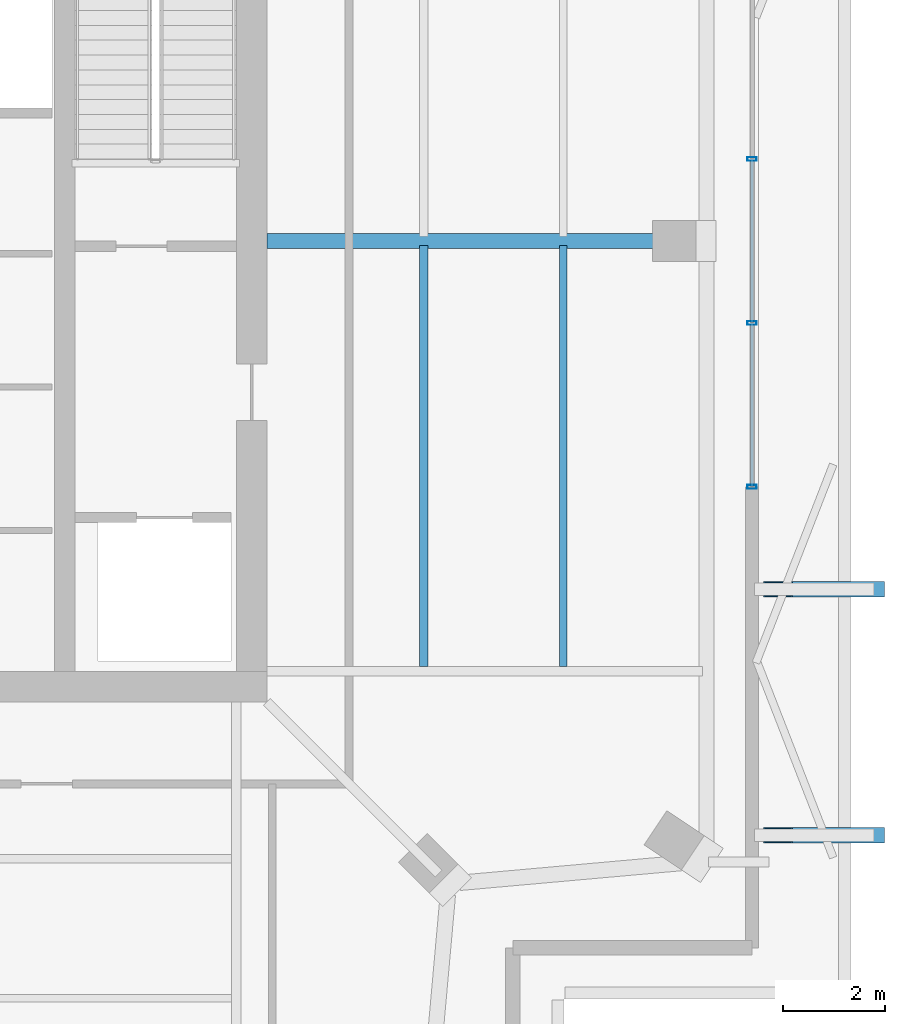
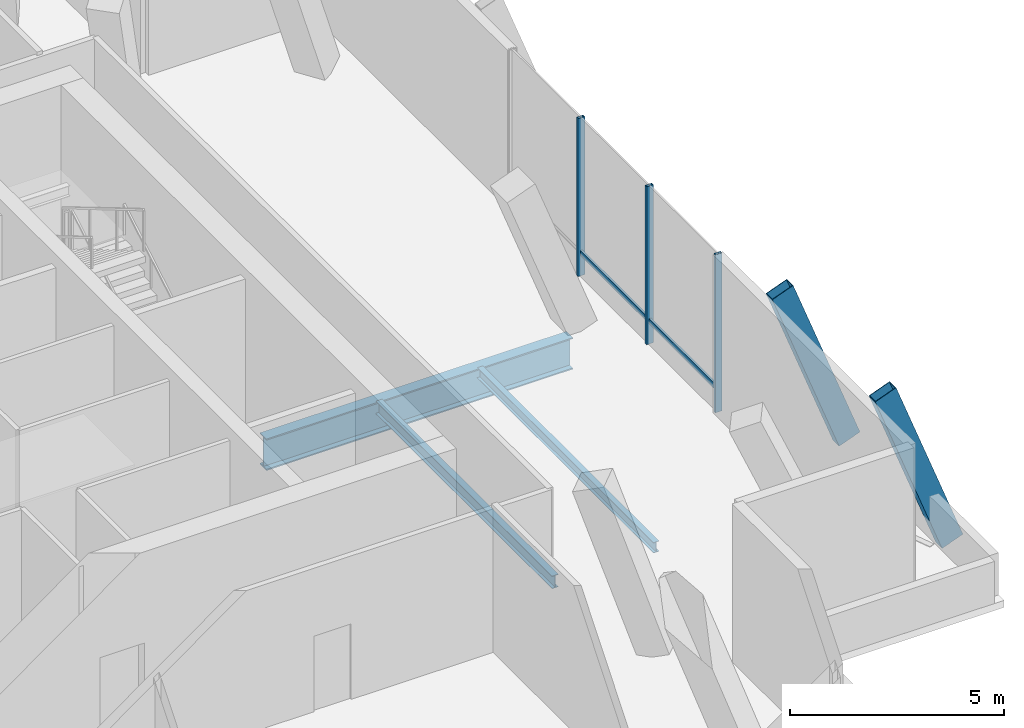
# One storey, part 10 of 18: 7 members, 3 beams, 1 element without a shape of its own.
"""IFC4 building model written with IfcOpenShell, lengths in metres."""

from ifc_helpers import new_model, si_unit, direction, frame, origin, origin_2d, place, context, subcontext, project, spatial, hollow_rectangle, i_section, extrude, material, layer, layer_set, material_profile, profile_set, type_object, element, aggregate, save


model = new_model("IFC4")

# Units and contexts
model_context = context("Model", 3, precision=1e-05, world=origin(), true_north=direction((0.0, 1.0)))
body_context = subcontext(model_context, "Body", "Model", "MODEL_VIEW")
ifc_project = project(units=[si_unit("LENGTHUNIT", "METRE"), si_unit("AREAUNIT", "SQUARE_METRE"), si_unit("VOLUMEUNIT", "CUBIC_METRE"), si_unit("PLANEANGLEUNIT", "RADIAN"), si_unit("MASSUNIT", "GRAM", prefix="KILO")], contexts=[model_context])

# Site, building, storey
site_placement = place(None, origin())
site = spatial("IfcSite", under=ifc_project, at=site_placement, CompositionType="ELEMENT")
building_placement = place(site_placement, origin())
building = spatial("IfcBuilding", under=site, at=building_placement, Name="Belovzor Exchange Tower", CompositionType="ELEMENT")
storey_placement = place(building_placement, frame((0.0, 0.0, 369.0)))
storey = spatial("IfcBuildingStorey", under=building, at=storey_placement, Name="L92", CompositionType="ELEMENT", Elevation=369.0)

# Beams
ifc_material_1 = material(Name="Steel S460", Category="steel")
ifc_material_profile_1 = material_profile(ifc_material_1, i_section(OverallWidth=0.300048828125, OverallDepth=0.89990234375, WebThickness=0.0185546875, FlangeThickness=0.034912109375, at=origin_2d()))
ifc_profile_set_1 = profile_set([ifc_material_profile_1], Name="Steel S460")
beam_type_1 = type_object("IfcBeamType", Name="Podium Radial Clear-Span Girder HEB 900", PredefinedType="BEAM", material=ifc_profile_set_1)
beam_1_placement = place(storey_placement, frame((37.800048828125, 28.800048828125, -0.75), z_axis=(1.0, 0.0, 0.0), x_axis=(0.0, 1.0, 0.0)))
element("IfcBeam", 1, at=beam_1_placement, inside=storey, type_object=beam_type_1, Name="PG-2 Podium Radial Clear-Span Girder HEB 900", PredefinedType="BEAM", context=body_context, shape_type="SweptSolid", body=[
    extrude(i_section(OverallWidth=0.300048828125, OverallDepth=0.89990234375, WebThickness=0.0185546875, FlangeThickness=0.034912109375, at=origin_2d()), origin(), (0.0, 0.0, 1.0), 8.248046875),
])
ifc_material_2 = material(Name="Steel S355", Category="steel")
ifc_material_profile_2 = material_profile(ifc_material_2, i_section(OverallWidth=0.169921875, OverallDepth=0.360107421875, WebThickness=0.008056640625, FlangeThickness=0.0126953125, at=origin_2d()))
ifc_profile_set_2 = profile_set([ifc_material_profile_2], Name="Steel S355")
beam_type_2 = type_object("IfcBeamType", Name="Secondary Infill Floor Joist IPE 360", PredefinedType="BEAM", material=ifc_profile_set_2)
beam_2_placement = place(storey_placement, frame((40.862060546875, 20.489990234375, -0.47998046875), z_axis=(0.0, 1.0, 0.0), x_axis=(-1.0, 0.0, 0.0)))
element("IfcBeam", 2, at=beam_2_placement, inside=storey, type_object=beam_type_2, Name="FJ-360 Secondary Infill Floor Joist IPE 360", PredefinedType="BEAM", context=body_context, shape_type="SweptSolid", body=[
    extrude(i_section(OverallWidth=0.169921875, OverallDepth=0.360107421875, WebThickness=0.008056640625, FlangeThickness=0.0126953125, at=origin_2d()), origin(), (0.0, 0.0, 1.0), 8.219970703125),
])
ifc_material_3 = material(Name="Steel S355", Category="steel")
ifc_material_profile_3 = material_profile(ifc_material_3, i_section(OverallWidth=0.14990234375, OverallDepth=0.300048828125, WebThickness=0.007080078125, FlangeThickness=0.0107421875, at=origin_2d()))
ifc_profile_set_3 = profile_set([ifc_material_profile_3], Name="Steel S355")
beam_type_3 = type_object("IfcBeamType", Name="Secondary Trim Floor Joist IPE 300", PredefinedType="BEAM", material=ifc_profile_set_3)
beam_3_placement = place(storey_placement, frame((43.5830078125, 20.489990234375, -0.449951171875), z_axis=(0.0, 1.0, 0.0), x_axis=(-1.0, 0.0, 0.0)))
element("IfcBeam", 3, at=beam_3_placement, inside=storey, type_object=beam_type_3, Name="FJ-300 Secondary Trim Floor Joist IPE 300", PredefinedType="BEAM", context=body_context, shape_type="SweptSolid", body=[
    extrude(i_section(OverallWidth=0.14990234375, OverallDepth=0.300048828125, WebThickness=0.007080078125, FlangeThickness=0.0107421875, at=origin_2d()), origin(), (0.0, 0.0, 1.0), 8.219970703125),
])

# Curtain wall, members
ifc_material_4 = material(Name="Anodised Aluminium Framing", Category="aluminium")
ifc_layer = layer(ifc_material_4, 0.169921875)
ifc_layer_set = layer_set([ifc_layer], Name="Anodised Aluminium Framing")
curtain_wall_type = type_object("IfcCurtainWallType", Name="Stepped Crown Faceted Lantern Curtain Wall", PredefinedType="NOTDEFINED", material=ifc_layer_set)
curtain_wall_placement = place(storey_placement, origin())
curtain_wall = element("IfcCurtainWall", 4, at=curtain_wall_placement, inside=storey, type_object=curtain_wall_type, Name="CW6 Stepped Crown Faceted Lantern Curtain Wall L92", PredefinedType="NOTDEFINED")
ifc_material_5 = material(Name="Steel S355", Category="steel")
ifc_material_profile_4 = material_profile(ifc_material_5, hollow_rectangle(XDim=0.074951171875, YDim=0.179931640625, WallThickness=0.0048828125, at=origin_2d()))
ifc_profile_set_4 = profile_set([ifc_material_profile_4], Name="Steel S355")
member_type_1 = type_object("IfcMemberType", Name="Thermally Broken Curtain Wall Mullion 180x75", PredefinedType="MULLION", material=ifc_profile_set_4)
member_1_placement = place(storey_placement, frame((47.27001953125, 30.39990234375, 0.0), z_axis=(0.0, 0.0, 1.0), x_axis=(0.0, -1.0, 0.0)))
member_1 = element("IfcMember", 5, at=member_1_placement, type_object=member_type_1, Name="CW-M180 Curtain Wall Mullion 2", PredefinedType="MULLION", context=body_context, shape_type="SweptSolid", body=[
    extrude(hollow_rectangle(XDim=0.074951171875, YDim=0.179931640625, WallThickness=0.0048828125, at=origin_2d()), origin(), (0.0, 0.0, 1.0), 4.5),
])
member_2_placement = place(storey_placement, frame((47.27001953125, 27.199951171875, 0.0), z_axis=(0.0, 0.0, 1.0), x_axis=(0.0, -1.0, 0.0)))
member_2 = element("IfcMember", 6, at=member_2_placement, type_object=member_type_1, Name="CW-M180 Curtain Wall Mullion 3", PredefinedType="MULLION", context=body_context, shape_type="SweptSolid", body=[
    extrude(hollow_rectangle(XDim=0.074951171875, YDim=0.179931640625, WallThickness=0.0048828125, at=origin_2d()), origin(), (0.0, 0.0, 1.0), 4.5),
])
member_3_placement = place(storey_placement, frame((47.27001953125, 24.0, 0.0), z_axis=(0.0, 0.0, 1.0), x_axis=(0.0, -1.0, 0.0)))
member_3 = element("IfcMember", 7, at=member_3_placement, type_object=member_type_1, Name="CW-M180 Curtain Wall Mullion 4", PredefinedType="MULLION", context=body_context, shape_type="SweptSolid", body=[
    extrude(hollow_rectangle(XDim=0.074951171875, YDim=0.179931640625, WallThickness=0.0048828125, at=origin_2d()), origin(), (0.0, 0.0, 1.0), 4.5),
])
ifc_material_6 = material(Name="Steel S355", Category="steel")
ifc_material_profile_5 = material_profile(ifc_material_6, hollow_rectangle(XDim=0.06005859375, YDim=0.14990234375, WallThickness=0.00390625, at=origin_2d()))
ifc_profile_set_5 = profile_set([ifc_material_profile_5], Name="Steel S355")
member_type_2 = type_object("IfcMemberType", Name="Thermally Broken Curtain Wall Transom 150x60", PredefinedType="USERDEFINED", material=ifc_profile_set_5)
member_4_placement = place(storey_placement, frame((47.27001953125, 30.39208984375, 0.64990234375), z_axis=(0.0, -1.0, 0.0), x_axis=(1.0, 0.0, 0.0)))
member_4 = element("IfcMember", 8, at=member_4_placement, type_object=member_type_2, Name="CW-T150 Curtain Wall Transom 2", ObjectType="TRANSOM", PredefinedType="USERDEFINED", context=body_context, shape_type="SweptSolid", body=[
    extrude(hollow_rectangle(XDim=0.06005859375, YDim=0.14990234375, WallThickness=0.00390625, at=origin_2d()), origin(), (0.0, 0.0, 1.0), 3.18408203125),
])
member_5_placement = place(storey_placement, frame((47.27001953125, 27.19189453125, 0.64990234375), z_axis=(0.0, -1.0, 0.0), x_axis=(1.0, 0.0, 0.0)))
member_5 = element("IfcMember", 9, at=member_5_placement, type_object=member_type_2, Name="CW-T150 Curtain Wall Transom 3", ObjectType="TRANSOM", PredefinedType="USERDEFINED", context=body_context, shape_type="SweptSolid", body=[
    extrude(hollow_rectangle(XDim=0.06005859375, YDim=0.14990234375, WallThickness=0.00390625, at=origin_2d()), origin(), (0.0, 0.0, 1.0), 3.183837890625),
])
aggregate(curtain_wall, [member_1, member_2, member_3, member_4, member_5])

# Members
ifc_material_7 = material(Name="Extruded Architectural Terracotta on Steel S355 Carrier", Category="masonry")
ifc_material_profile_6 = material_profile(ifc_material_7, hollow_rectangle(XDim=0.300048828125, YDim=0.60009765625, WallThickness=0.01611328125, at=origin_2d()))
ifc_profile_set_6 = profile_set([ifc_material_profile_6], Name="Extruded Architectural Terracotta on Steel S355 Carrier")
member_type_3 = type_object("IfcMemberType", Name="Upper Crown Terracotta Fin Assembly 550", PredefinedType="USERDEFINED", material=ifc_profile_set_6)
for number, where, z_axis, x_axis, name in (
    (10, (49.574951171875, 17.199951171875, -0.300048828125), (-0.351128660605, 0.0, 0.936327220421), (0.0, -1.0, 0.0), "FIN-TC055 Terracotta Facade Fin L92 E1"),
    (11, (49.574951171875, 22.0, -0.300048828125), (-0.351128660605, 0.0, 0.936327220421), (0.0, -1.0, 0.0), "FIN-TC055 Terracotta Facade Fin L92 E2"),
):
    element("IfcMember", number, at=place(storey_placement, frame(where, z_axis=z_axis, x_axis=x_axis)), inside=storey, type_object=member_type_3, Name=name, ObjectType="FIN", PredefinedType="USERDEFINED", context=body_context, shape_type="SweptSolid", body=[
        extrude(hollow_rectangle(XDim=0.300048828125, YDim=0.60009765625, WallThickness=0.01611328125, at=origin_2d()), origin(), (0.0, 0.0, 1.0), 5.12646484375),
    ])

save(model, "model.ifc")
